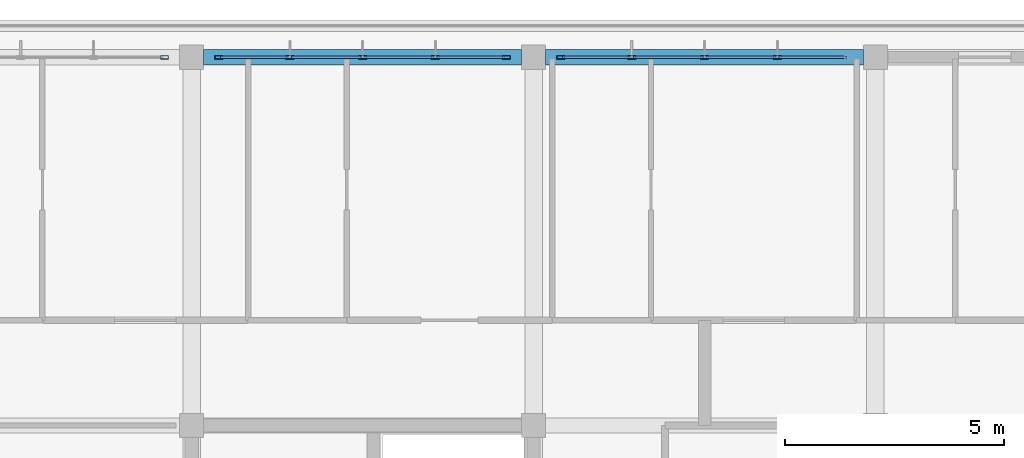
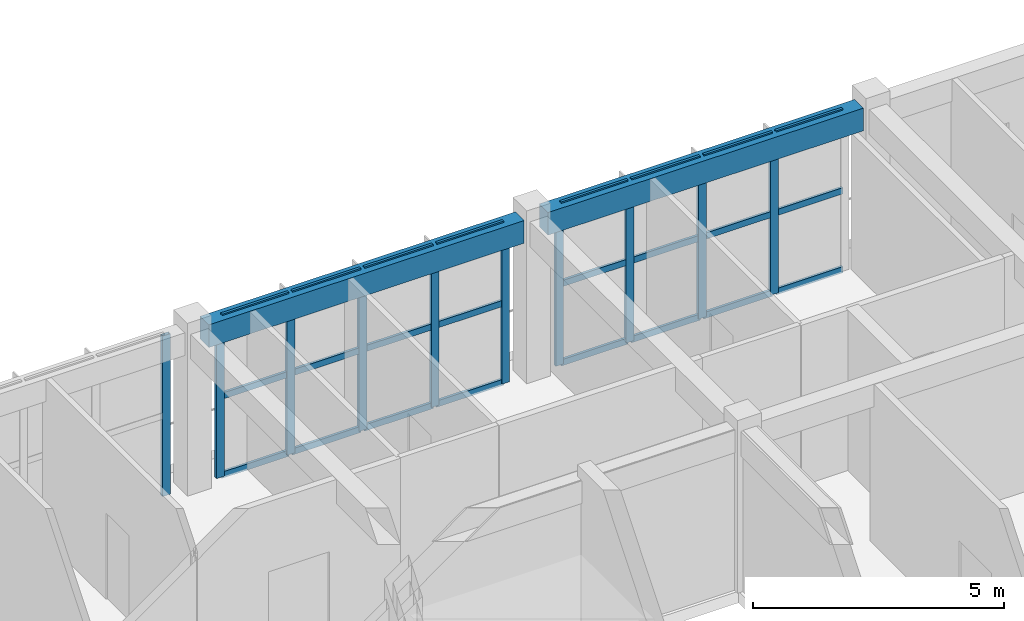
# One storey, part 16 of 44: 34 members, 2 beams, 3 elements without a shape of their own.
"""IFC4 building model written with IfcOpenShell, lengths in metres."""

import ifcopenshell
import ifcopenshell.guid

model = None  # the IFC model being written
_history = None  # IfcOwnerHistory: only IFC2X3 demands one
_inside = {}  # id of a spatial element -> (the spatial element, [elements in it])
_under = {}  # id of a project, library or spatial element -> (it, [spatial elements below it])
_declared = {}  # id of a project -> (the project, [libraries it declares])
_typed = {}  # id of a type object -> (the type object, [elements of that type])
_made_of = {}  # id of a material, layer set ... -> (it, [elements and type objects made of it])


def new_model(schema):
    """Start an empty IFC model of exactly this schema.

    Asked for "IFC4X3", IfcOpenShell would pick the latest addendum, in which some entities
    have other attributes; the version numbers below select the first issue.
    IFC2X3 requires an IfcOwnerHistory on every rooted entity: one is made here for all.
    """
    global model, _history
    if schema == "IFC4X3":
        model = ifcopenshell.file(schema_version=(4, 3, 0, 0))
    else:
        model = ifcopenshell.file(schema=schema)
    _inside.clear()
    _under.clear()
    _declared.clear()
    _typed.clear()
    _made_of.clear()
    _history = None
    if model.schema == "IFC2X3":
        org = make("IfcOrganization", Name="unknown")
        user = make(
            "IfcPersonAndOrganization",
            ThePerson=make("IfcPerson", FamilyName="unknown"),
            TheOrganization=org,
        )
        app = make(
            "IfcApplication",
            ApplicationDeveloper=org,
            Version="unknown",
            ApplicationFullName="unknown",
            ApplicationIdentifier="unknown",
        )
        _history = make(
            "IfcOwnerHistory",
            OwningUser=user,
            OwningApplication=app,
            ChangeAction="ADDED",
            CreationDate=0,
        )
    return model


def make(cls, **values):
    """One entity of the class cls with the attributes given. An attribute that is None is left unset."""
    return model.create_entity(
        cls, **{name: value for name, value in values.items() if value is not None}
    )


def rooted(cls, **values):
    """An entity with a GlobalId (a new one), such as an element, a storey or a relation."""
    return make(cls, GlobalId=ifcopenshell.guid.new(), OwnerHistory=_history, **values)


def si_unit(unit_type, name, prefix=None):
    """IfcSIUnit, for example si_unit("LENGTHUNIT", "METRE", prefix="MILLI")."""
    return make("IfcSIUnit", UnitType=unit_type, Prefix=prefix, Name=name)


def assignment(units):
    """IfcUnitAssignment: the units of a project."""
    return None if units is None else make("IfcUnitAssignment", Units=units)


def point(xyz):
    """IfcCartesianPoint."""
    return None if xyz is None else make("IfcCartesianPoint", Coordinates=xyz)


def direction(xyz):
    """IfcDirection."""
    return None if xyz is None else make("IfcDirection", DirectionRatios=xyz)


def frame(location, z_axis=None, x_axis=None):
    """IfcAxis2Placement3D, a coordinate frame: its origin and axes. An axis left out is left unset."""
    return make(
        "IfcAxis2Placement3D",
        Location=point(location),
        Axis=direction(z_axis),
        RefDirection=direction(x_axis),
    )


def frame_2d(location, x_axis=None):
    """IfcAxis2Placement2D, a coordinate frame in the plane: its origin and x axis."""
    return make(
        "IfcAxis2Placement2D", Location=point(location), RefDirection=direction(x_axis)
    )


def origin():
    """The frame at (0, 0, 0) with its axes left unset."""
    return frame((0.0, 0.0, 0.0))


def origin_2d():
    """The frame at (0, 0) in the plane with its x axis left unset."""
    return frame_2d((0.0, 0.0))


def place(relative_to, where):
    """IfcLocalPlacement: puts the frame where relative to a parent placement (None: the world)."""
    return make(
        "IfcLocalPlacement", PlacementRelTo=relative_to, RelativePlacement=where
    )


def context(
    kind, dimensions, precision=None, world=None, true_north=None, identifier=None
):
    """IfcGeometricRepresentationContext, for example the 3D "Model" context."""
    return make(
        "IfcGeometricRepresentationContext",
        ContextIdentifier=identifier,
        ContextType=kind,
        CoordinateSpaceDimension=dimensions,
        Precision=precision,
        WorldCoordinateSystem=world,
        TrueNorth=true_north,
    )


def subcontext(parent, identifier, kind, view, scale=None):
    """IfcGeometricRepresentationSubContext, for example "Body" below "Model"."""
    return make(
        "IfcGeometricRepresentationSubContext",
        ContextIdentifier=identifier,
        ContextType=kind,
        ParentContext=parent,
        TargetScale=scale,
        TargetView=view,
    )


def project(units=None, contexts=None):
    """IfcProject with its units and contexts."""
    return rooted(
        "IfcProject",
        Name="project",
        RepresentationContexts=contexts,
        UnitsInContext=assignment(units),
    )


def spatial(cls, under=None, at=None, **own):
    """A site, building, storey or space (cls), placed at a placement, below another one or the project."""
    s = rooted(cls, ObjectPlacement=at, **own)
    if under is not None:
        _under.setdefault(under.id(), (under, []))[1].append(s)
    return s


def profile(cls, at=None, kind="AREA", **sizes):
    """A parametric profile (cls). Its sizes go by their IFC names, for example OverallWidth=200.0."""
    return make(cls, ProfileType=kind, Position=at, **sizes)


def rectangle(**sizes):
    """IfcRectangleProfileDef."""
    return profile("IfcRectangleProfileDef", **sizes)


def hollow_rectangle(**sizes):
    """IfcRectangleHollowProfileDef."""
    return profile("IfcRectangleHollowProfileDef", **sizes)


def extrude(swept, where, along, depth):
    """IfcExtrudedAreaSolid: the profile swept, set in the frame where, extruded along a direction by depth."""
    return make(
        "IfcExtrudedAreaSolid",
        SweptArea=swept,
        Position=where,
        ExtrudedDirection=direction(along),
        Depth=depth,
    )


def shape(context_of_items, identifier, shape_type, items):
    """IfcShapeRepresentation: the items that make up one representation, for example the "Body"."""
    return make(
        "IfcShapeRepresentation",
        ContextOfItems=context_of_items,
        RepresentationIdentifier=identifier,
        RepresentationType=shape_type,
        Items=items,
    )


def material(Name=None, Category=None):
    """IfcMaterial."""
    return make("IfcMaterial", Name=Name, Category=Category)


def layer(
    of_material, thickness, ventilated=None, Name=None, Category=None, Priority=None
):
    """IfcMaterialLayer: one layer of a wall or slab, of a material (None: an air gap)."""
    return make(
        "IfcMaterialLayer",
        Material=of_material,
        LayerThickness=thickness,
        IsVentilated=ventilated,
        Name=Name,
        Category=Category,
        Priority=Priority,
    )


def layer_set(layers, Name=None):
    """IfcMaterialLayerSet."""
    return make("IfcMaterialLayerSet", MaterialLayers=layers, LayerSetName=Name)


def material_profile(
    of_material, cross_section, Name=None, Category=None, Priority=None
):
    """IfcMaterialProfile: a cross section and its material."""
    return make(
        "IfcMaterialProfile",
        Name=Name,
        Material=of_material,
        Profile=cross_section,
        Priority=Priority,
        Category=Category,
    )


def profile_set(profiles, Name=None, composite=None):
    """IfcMaterialProfileSet."""
    return make(
        "IfcMaterialProfileSet",
        Name=Name,
        MaterialProfiles=profiles,
        CompositeProfile=composite,
    )


def made_of(thing, what):
    """Note that an element or type object is made of a material, layer set ...; save() writes the relation."""
    if what is not None:
        _made_of.setdefault(what.id(), (what, []))[1].append(thing)
    return thing


def type_object(cls, material=None, **own):
    """A type object (cls), such as IfcWallType, which elements share."""
    return made_of(rooted(cls, **own), material)


def element(
    cls,
    number,
    at=None,
    inside=None,
    cuts=None,
    type_object=None,
    material=None,
    context=None,
    identifier="Body",
    shape_type=None,
    held_by="IfcProductDefinitionShape",
    body=None,
    shapes=None,
    **own,
):
    """One element of the class cls, such as IfcWall. Its Tag is "e" and its number.

    at: its placement. inside: the storey or other place that contains it. cuts: it is an
    opening in that element (IfcRelVoidsElement). A single representation is given by context,
    identifier, shape_type and body (its items); several are given by shapes. held_by: the class
    of the entity that holds the representations. save() writes the other relations.
    """
    e = rooted(cls, Tag="e%d" % number, ObjectPlacement=at, **own)
    if body is not None:
        shapes = [shape(context, identifier, shape_type, body)]
    if shapes is not None:
        e.Representation = make(held_by, Representations=shapes)
    if inside is not None:
        _inside.setdefault(inside.id(), (inside, []))[1].append(e)
    if cuts is not None:
        rooted(
            "IfcRelVoidsElement", RelatingBuildingElement=cuts, RelatedOpeningElement=e
        )
    if type_object is not None:
        _typed.setdefault(type_object.id(), (type_object, []))[1].append(e)
    return made_of(e, material)


def aggregate(whole, parts):
    """IfcRelAggregates: a whole, such as a stair, and the parts it consists of."""
    return rooted("IfcRelAggregates", RelatingObject=whole, RelatedObjects=parts)


def save(model, path):
    """Write the relations noted so far, then the file.

    IfcRelAggregates (storeys below a building ...), IfcRelContainedInSpatialStructure (elements
    in a storey), IfcRelDefinesByType, IfcRelAssociatesMaterial and IfcRelDeclares: one each for
    every whole, place, type object, material and project.
    """
    for whole, parts in _under.values():
        aggregate(whole, parts)
    for where, things in _inside.values():
        rooted(
            "IfcRelContainedInSpatialStructure",
            RelatedElements=things,
            RelatingStructure=where,
        )
    for kind, things in _typed.values():
        rooted("IfcRelDefinesByType", RelatedObjects=things, RelatingType=kind)
    for what, things in _made_of.values():
        rooted("IfcRelAssociatesMaterial", RelatedObjects=things, RelatingMaterial=what)
    for by, libraries in _declared.values():
        rooted("IfcRelDeclares", RelatingContext=by, RelatedDefinitions=libraries)
    model.write(path)


model = new_model("IFC4")

# Units and contexts
model_context = context("Model", 3, precision=1e-05, world=origin(), true_north=direction((0.0, 1.0)))
body_context = subcontext(model_context, "Body", "Model", "MODEL_VIEW")
ifc_project = project(units=[si_unit("LENGTHUNIT", "METRE"), si_unit("AREAUNIT", "SQUARE_METRE"), si_unit("VOLUMEUNIT", "CUBIC_METRE"), si_unit("PLANEANGLEUNIT", "RADIAN"), si_unit("MASSUNIT", "GRAM", prefix="KILO")], contexts=[model_context])

# Site, building, storey
site_placement = place(None, origin())
site = spatial("IfcSite", under=ifc_project, at=site_placement, CompositionType="ELEMENT")
building_placement = place(site_placement, origin())
building = spatial("IfcBuilding", under=site, at=building_placement, Name="Zizhar Promenade General Hospital", CompositionType="ELEMENT")
storey_placement = place(building_placement, frame((0.0, 0.0, 34.800048828125)))
storey = spatial("IfcBuildingStorey", under=building, at=storey_placement, Name="L08", CompositionType="ELEMENT", Elevation=34.800048828125)

# Beams
ifc_material_1 = material(Name="Concrete C35/45", Category="concrete")
ifc_material_profile_1 = material_profile(ifc_material_1, rectangle(XDim=0.35009765625, YDim=0.550048828125, at=origin_2d()))
ifc_profile_set_1 = profile_set([ifc_material_profile_1], Name="Concrete C35/45")
beam_type = type_object("IfcBeamType", Name="BM-RC-350x550", PredefinedType="LINTEL", material=ifc_profile_set_1)
for number, where, z_axis, x_axis, name in (
    (1, (62.675048828125, 25.199951171875, 3.635009765625), (1.0, 0.0, 0.0), (0.0, 1.0, 0.0), "Grid Beam X L08 (8-3)"),
    (2, (70.47509765625, 25.199951171875, 3.635009765625), (1.0, 0.0, 0.0), (0.0, 1.0, 0.0), "Grid Beam X L08 (9-3)"),
):
    element("IfcBeam", number, at=place(storey_placement, frame(where, z_axis=z_axis, x_axis=x_axis)), inside=storey, type_object=beam_type, Name=name, PredefinedType="LINTEL", context=body_context, shape_type="SweptSolid", body=[
        extrude(rectangle(XDim=0.35009765625, YDim=0.550048828125, at=origin_2d()), origin(), (0.0, 0.0, 1.0), 7.25),
    ])

# Curtain wall, member
ifc_material_2 = material(Name="Anodised aluminium 6063-T6 and low-E glass", Category="aluminium")
ifc_layer = layer(ifc_material_2, 0.159912109375)
ifc_layer_set = layer_set([ifc_layer], Name="Anodised aluminium 6063-T6 and low-E glass")
curtain_wall_type = type_object("IfcCurtainWallType", Name="CW-WARD-RIB", PredefinedType="NOTDEFINED", material=ifc_layer_set)
curtain_wall_1_placement = place(storey_placement, origin())
curtain_wall_1 = element("IfcCurtainWall", 3, at=curtain_wall_1_placement, inside=storey, type_object=curtain_wall_type, Name="Ward Ribbon Curtain Wall L08-8-1", PredefinedType="NOTDEFINED")
ifc_material_3 = material(Name="Anodised aluminium 6063-T6", Category="aluminium")
ifc_material_profile_2 = material_profile(ifc_material_3, hollow_rectangle(XDim=0.080078125, YDim=0.179931640625, WallThickness=0.0048828125, at=origin_2d()))
ifc_profile_set_2 = profile_set([ifc_material_profile_2], Name="Anodised aluminium 6063-T6")
member_type_1 = type_object("IfcMemberType", Name="CWM-ALU-180x80", PredefinedType="MULLION", material=ifc_profile_set_2)
member_1_placement = place(storey_placement, frame((61.780029296875, 25.199951171875, 0.0), z_axis=(0.0, 0.0, 1.0), x_axis=(0.0, 1.0, 0.0)))
member_1 = element("IfcMember", 4, at=member_1_placement, type_object=member_type_1, Name="CW-13 mullion 5", PredefinedType="MULLION", context=body_context, shape_type="SweptSolid", body=[
    extrude(hollow_rectangle(XDim=0.080078125, YDim=0.179931640625, WallThickness=0.0048828125, at=origin_2d()), origin(), (0.0, 0.0, 1.0), 3.89990234375),
])
aggregate(curtain_wall_1, [member_1])

# Curtain wall, members
curtain_wall_2_placement = place(storey_placement, origin())
curtain_wall_2 = element("IfcCurtainWall", 5, at=curtain_wall_2_placement, inside=storey, type_object=curtain_wall_type, Name="Ward Ribbon Curtain Wall L08-8-2", PredefinedType="NOTDEFINED")
member_2_placement = place(storey_placement, frame((63.02001953125, 25.199951171875, 0.0), z_axis=(0.0, 0.0, 1.0), x_axis=(0.0, 1.0, 0.0)))
member_2 = element("IfcMember", 6, at=member_2_placement, type_object=member_type_1, Name="CW-13 mullion 1", PredefinedType="MULLION", context=body_context, shape_type="SweptSolid", body=[
    extrude(hollow_rectangle(XDim=0.080078125, YDim=0.179931640625, WallThickness=0.0048828125, at=origin_2d()), origin(), (0.0, 0.0, 1.0), 3.89990234375),
])
member_3_placement = place(storey_placement, frame((64.639892578125, 25.199951171875, 0.0), z_axis=(0.0, 0.0, 1.0), x_axis=(0.0, 1.0, 0.0)))
member_3 = element("IfcMember", 7, at=member_3_placement, type_object=member_type_1, Name="CW-13 mullion 2", PredefinedType="MULLION", context=body_context, shape_type="SweptSolid", body=[
    extrude(hollow_rectangle(XDim=0.080078125, YDim=0.179931640625, WallThickness=0.0048828125, at=origin_2d()), origin(), (0.0, 0.0, 1.0), 3.89990234375),
])
member_4_placement = place(storey_placement, frame((66.300048828125, 25.199951171875, 0.0), z_axis=(0.0, 0.0, 1.0), x_axis=(0.0, 1.0, 0.0)))
member_4 = element("IfcMember", 8, at=member_4_placement, type_object=member_type_1, Name="CW-13 mullion 3", PredefinedType="MULLION", context=body_context, shape_type="SweptSolid", body=[
    extrude(hollow_rectangle(XDim=0.080078125, YDim=0.179931640625, WallThickness=0.0048828125, at=origin_2d()), origin(), (0.0, 0.0, 1.0), 3.89990234375),
])
member_5_placement = place(storey_placement, frame((67.9599609375, 25.199951171875, 0.0), z_axis=(0.0, 0.0, 1.0), x_axis=(0.0, 1.0, 0.0)))
member_5 = element("IfcMember", 9, at=member_5_placement, type_object=member_type_1, Name="CW-13 mullion 4", PredefinedType="MULLION", context=body_context, shape_type="SweptSolid", body=[
    extrude(hollow_rectangle(XDim=0.080078125, YDim=0.179931640625, WallThickness=0.0048828125, at=origin_2d()), origin(), (0.0, 0.0, 1.0), 3.89990234375),
])
member_6_placement = place(storey_placement, frame((69.580078125, 25.199951171875, 0.0), z_axis=(0.0, 0.0, 1.0), x_axis=(0.0, 1.0, 0.0)))
member_6 = element("IfcMember", 10, at=member_6_placement, type_object=member_type_1, Name="CW-13 mullion 5", PredefinedType="MULLION", context=body_context, shape_type="SweptSolid", body=[
    extrude(hollow_rectangle(XDim=0.080078125, YDim=0.179931640625, WallThickness=0.0048828125, at=origin_2d()), origin(), (0.0, 0.0, 1.0), 3.89990234375),
])

curtain_wall_3_placement = place(storey_placement, origin())
curtain_wall_3 = element("IfcCurtainWall", 11, at=curtain_wall_3_placement, inside=storey, type_object=curtain_wall_type, Name="Ward Ribbon Curtain Wall L08-8-3", PredefinedType="NOTDEFINED")
member_7_placement = place(storey_placement, frame((70.820068359375, 25.199951171875, 0.0), z_axis=(0.0, 0.0, 1.0), x_axis=(0.0, 1.0, 0.0)))
member_7 = element("IfcMember", 12, at=member_7_placement, type_object=member_type_1, Name="CW-13 mullion 1", PredefinedType="MULLION", context=body_context, shape_type="SweptSolid", body=[
    extrude(hollow_rectangle(XDim=0.080078125, YDim=0.179931640625, WallThickness=0.0048828125, at=origin_2d()), origin(), (0.0, 0.0, 1.0), 3.89990234375),
])
member_8_placement = place(storey_placement, frame((72.43994140625, 25.199951171875, 0.0), z_axis=(0.0, 0.0, 1.0), x_axis=(0.0, 1.0, 0.0)))
member_8 = element("IfcMember", 13, at=member_8_placement, type_object=member_type_1, Name="CW-13 mullion 2", PredefinedType="MULLION", context=body_context, shape_type="SweptSolid", body=[
    extrude(hollow_rectangle(XDim=0.080078125, YDim=0.179931640625, WallThickness=0.0048828125, at=origin_2d()), origin(), (0.0, 0.0, 1.0), 3.89990234375),
])
member_9_placement = place(storey_placement, frame((74.10009765625, 25.199951171875, 0.0), z_axis=(0.0, 0.0, 1.0), x_axis=(0.0, 1.0, 0.0)))
member_9 = element("IfcMember", 14, at=member_9_placement, type_object=member_type_1, Name="CW-13 mullion 3", PredefinedType="MULLION", context=body_context, shape_type="SweptSolid", body=[
    extrude(hollow_rectangle(XDim=0.080078125, YDim=0.179931640625, WallThickness=0.0048828125, at=origin_2d()), origin(), (0.0, 0.0, 1.0), 3.89990234375),
])
member_10_placement = place(storey_placement, frame((75.760009765625, 25.199951171875, 0.0), z_axis=(0.0, 0.0, 1.0), x_axis=(0.0, 1.0, 0.0)))
member_10 = element("IfcMember", 15, at=member_10_placement, type_object=member_type_1, Name="CW-13 mullion 4", PredefinedType="MULLION", context=body_context, shape_type="SweptSolid", body=[
    extrude(hollow_rectangle(XDim=0.080078125, YDim=0.179931640625, WallThickness=0.0048828125, at=origin_2d()), origin(), (0.0, 0.0, 1.0), 3.89990234375),
])

# Member
ifc_material_4 = material(Name="Anodised aluminium 6063-T6", Category="aluminium")
ifc_material_profile_3 = material_profile(ifc_material_4, hollow_rectangle(XDim=0.06005859375, YDim=0.14990234375, WallThickness=0.00390625, at=origin_2d()))
ifc_profile_set_3 = profile_set([ifc_material_profile_3], Name="Anodised aluminium 6063-T6")
member_type_2 = type_object("IfcMemberType", Name="CWT-ALU-150x60", PredefinedType="USERDEFINED", material=ifc_profile_set_3)
member_11_placement = place(storey_placement, frame((63.06005859375, 25.199951171875, 0.030029296875), z_axis=(1.0, 0.0, 0.0), x_axis=(0.0, 1.0, 0.0)))
member_11 = element("IfcMember", 16, at=member_11_placement, type_object=member_type_2, Name="CW-13 transom 1.1", ObjectType="TRANSOM", PredefinedType="USERDEFINED", context=body_context, shape_type="SweptSolid", body=[
    extrude(hollow_rectangle(XDim=0.06005859375, YDim=0.14990234375, WallThickness=0.00390625, at=origin_2d()), origin(), (0.0, 0.0, 1.0), 1.5400390625),
])

member_12_placement = place(storey_placement, frame((63.06005859375, 25.199951171875, 1.949951171875), z_axis=(1.0, 0.0, 0.0), x_axis=(0.0, 1.0, 0.0)))
member_12 = element("IfcMember", 17, at=member_12_placement, type_object=member_type_2, Name="CW-13 transom 1.2", ObjectType="TRANSOM", PredefinedType="USERDEFINED", context=body_context, shape_type="SweptSolid", body=[
    extrude(hollow_rectangle(XDim=0.06005859375, YDim=0.14990234375, WallThickness=0.00390625, at=origin_2d()), origin(), (0.0, 0.0, 1.0), 1.5400390625),
])

member_13_placement = place(storey_placement, frame((63.06005859375, 25.199951171875, 3.869873046875), z_axis=(1.0, 0.0, 0.0), x_axis=(0.0, 1.0, 0.0)))
member_13 = element("IfcMember", 18, at=member_13_placement, type_object=member_type_2, Name="CW-13 transom 1.3", ObjectType="TRANSOM", PredefinedType="USERDEFINED", context=body_context, shape_type="SweptSolid", body=[
    extrude(hollow_rectangle(XDim=0.06005859375, YDim=0.14990234375, WallThickness=0.00390625, at=origin_2d()), origin(), (0.0, 0.0, 1.0), 1.5400390625),
])

member_14_placement = place(storey_placement, frame((64.679931640625, 25.199951171875, 0.030029296875), z_axis=(1.0, 0.0, 0.0), x_axis=(0.0, 1.0, 0.0)))
member_14 = element("IfcMember", 19, at=member_14_placement, type_object=member_type_2, Name="CW-13 transom 2.1", ObjectType="TRANSOM", PredefinedType="USERDEFINED", context=body_context, shape_type="SweptSolid", body=[
    extrude(hollow_rectangle(XDim=0.06005859375, YDim=0.14990234375, WallThickness=0.00390625, at=origin_2d()), origin(), (0.0, 0.0, 1.0), 1.580078125),
])

member_15_placement = place(storey_placement, frame((64.679931640625, 25.199951171875, 1.949951171875), z_axis=(1.0, 0.0, 0.0), x_axis=(0.0, 1.0, 0.0)))
member_15 = element("IfcMember", 20, at=member_15_placement, type_object=member_type_2, Name="CW-13 transom 2.2", ObjectType="TRANSOM", PredefinedType="USERDEFINED", context=body_context, shape_type="SweptSolid", body=[
    extrude(hollow_rectangle(XDim=0.06005859375, YDim=0.14990234375, WallThickness=0.00390625, at=origin_2d()), origin(), (0.0, 0.0, 1.0), 1.580078125),
])

member_16_placement = place(storey_placement, frame((64.679931640625, 25.199951171875, 3.869873046875), z_axis=(1.0, 0.0, 0.0), x_axis=(0.0, 1.0, 0.0)))
member_16 = element("IfcMember", 21, at=member_16_placement, type_object=member_type_2, Name="CW-13 transom 2.3", ObjectType="TRANSOM", PredefinedType="USERDEFINED", context=body_context, shape_type="SweptSolid", body=[
    extrude(hollow_rectangle(XDim=0.06005859375, YDim=0.14990234375, WallThickness=0.00390625, at=origin_2d()), origin(), (0.0, 0.0, 1.0), 1.580078125),
])

member_17_placement = place(storey_placement, frame((66.340087890625, 25.199951171875, 0.030029296875), z_axis=(1.0, 0.0, 0.0), x_axis=(0.0, 1.0, 0.0)))
member_17 = element("IfcMember", 22, at=member_17_placement, type_object=member_type_2, Name="CW-13 transom 3.1", ObjectType="TRANSOM", PredefinedType="USERDEFINED", context=body_context, shape_type="SweptSolid", body=[
    extrude(hollow_rectangle(XDim=0.06005859375, YDim=0.14990234375, WallThickness=0.00390625, at=origin_2d()), origin(), (0.0, 0.0, 1.0), 1.579833984375),
])

member_18_placement = place(storey_placement, frame((66.340087890625, 25.199951171875, 1.949951171875), z_axis=(1.0, 0.0, 0.0), x_axis=(0.0, 1.0, 0.0)))
member_18 = element("IfcMember", 23, at=member_18_placement, type_object=member_type_2, Name="CW-13 transom 3.2", ObjectType="TRANSOM", PredefinedType="USERDEFINED", context=body_context, shape_type="SweptSolid", body=[
    extrude(hollow_rectangle(XDim=0.06005859375, YDim=0.14990234375, WallThickness=0.00390625, at=origin_2d()), origin(), (0.0, 0.0, 1.0), 1.579833984375),
])

member_19_placement = place(storey_placement, frame((66.340087890625, 25.199951171875, 3.869873046875), z_axis=(1.0, 0.0, 0.0), x_axis=(0.0, 1.0, 0.0)))
member_19 = element("IfcMember", 24, at=member_19_placement, type_object=member_type_2, Name="CW-13 transom 3.3", ObjectType="TRANSOM", PredefinedType="USERDEFINED", context=body_context, shape_type="SweptSolid", body=[
    extrude(hollow_rectangle(XDim=0.06005859375, YDim=0.14990234375, WallThickness=0.00390625, at=origin_2d()), origin(), (0.0, 0.0, 1.0), 1.579833984375),
])

member_20_placement = place(storey_placement, frame((68.0, 25.199951171875, 0.030029296875), z_axis=(1.0, 0.0, 0.0), x_axis=(0.0, 1.0, 0.0)))
member_20 = element("IfcMember", 25, at=member_20_placement, type_object=member_type_2, Name="CW-13 transom 4.1", ObjectType="TRANSOM", PredefinedType="USERDEFINED", context=body_context, shape_type="SweptSolid", body=[
    extrude(hollow_rectangle(XDim=0.06005859375, YDim=0.14990234375, WallThickness=0.00390625, at=origin_2d()), origin(), (0.0, 0.0, 1.0), 1.5400390625),
])

member_21_placement = place(storey_placement, frame((68.0, 25.199951171875, 1.949951171875), z_axis=(1.0, 0.0, 0.0), x_axis=(0.0, 1.0, 0.0)))
member_21 = element("IfcMember", 26, at=member_21_placement, type_object=member_type_2, Name="CW-13 transom 4.2", ObjectType="TRANSOM", PredefinedType="USERDEFINED", context=body_context, shape_type="SweptSolid", body=[
    extrude(hollow_rectangle(XDim=0.06005859375, YDim=0.14990234375, WallThickness=0.00390625, at=origin_2d()), origin(), (0.0, 0.0, 1.0), 1.5400390625),
])

member_22_placement = place(storey_placement, frame((68.0, 25.199951171875, 3.869873046875), z_axis=(1.0, 0.0, 0.0), x_axis=(0.0, 1.0, 0.0)))
member_22 = element("IfcMember", 27, at=member_22_placement, type_object=member_type_2, Name="CW-13 transom 4.3", ObjectType="TRANSOM", PredefinedType="USERDEFINED", context=body_context, shape_type="SweptSolid", body=[
    extrude(hollow_rectangle(XDim=0.06005859375, YDim=0.14990234375, WallThickness=0.00390625, at=origin_2d()), origin(), (0.0, 0.0, 1.0), 1.5400390625),
])

aggregate(curtain_wall_2, [member_2, member_3, member_4, member_5, member_6, member_11, member_12, member_13, member_14, member_15, member_16, member_17, member_18, member_19, member_20, member_21, member_22])

member_23_placement = place(storey_placement, frame((70.860107421875, 25.199951171875, 0.030029296875), z_axis=(1.0, 0.0, 0.0), x_axis=(0.0, 1.0, 0.0)))
member_23 = element("IfcMember", 28, at=member_23_placement, type_object=member_type_2, Name="CW-13 transom 1.1", ObjectType="TRANSOM", PredefinedType="USERDEFINED", context=body_context, shape_type="SweptSolid", body=[
    extrude(hollow_rectangle(XDim=0.06005859375, YDim=0.14990234375, WallThickness=0.00390625, at=origin_2d()), origin(), (0.0, 0.0, 1.0), 1.539794921875),
])

member_24_placement = place(storey_placement, frame((70.860107421875, 25.199951171875, 1.949951171875), z_axis=(1.0, 0.0, 0.0), x_axis=(0.0, 1.0, 0.0)))
member_24 = element("IfcMember", 29, at=member_24_placement, type_object=member_type_2, Name="CW-13 transom 1.2", ObjectType="TRANSOM", PredefinedType="USERDEFINED", context=body_context, shape_type="SweptSolid", body=[
    extrude(hollow_rectangle(XDim=0.06005859375, YDim=0.14990234375, WallThickness=0.00390625, at=origin_2d()), origin(), (0.0, 0.0, 1.0), 1.539794921875),
])

member_25_placement = place(storey_placement, frame((70.860107421875, 25.199951171875, 3.869873046875), z_axis=(1.0, 0.0, 0.0), x_axis=(0.0, 1.0, 0.0)))
member_25 = element("IfcMember", 30, at=member_25_placement, type_object=member_type_2, Name="CW-13 transom 1.3", ObjectType="TRANSOM", PredefinedType="USERDEFINED", context=body_context, shape_type="SweptSolid", body=[
    extrude(hollow_rectangle(XDim=0.06005859375, YDim=0.14990234375, WallThickness=0.00390625, at=origin_2d()), origin(), (0.0, 0.0, 1.0), 1.539794921875),
])

member_26_placement = place(storey_placement, frame((72.47998046875, 25.199951171875, 0.030029296875), z_axis=(1.0, 0.0, 0.0), x_axis=(0.0, 1.0, 0.0)))
member_26 = element("IfcMember", 31, at=member_26_placement, type_object=member_type_2, Name="CW-13 transom 2.1", ObjectType="TRANSOM", PredefinedType="USERDEFINED", context=body_context, shape_type="SweptSolid", body=[
    extrude(hollow_rectangle(XDim=0.06005859375, YDim=0.14990234375, WallThickness=0.00390625, at=origin_2d()), origin(), (0.0, 0.0, 1.0), 1.580078125),
])

member_27_placement = place(storey_placement, frame((72.47998046875, 25.199951171875, 1.949951171875), z_axis=(1.0, 0.0, 0.0), x_axis=(0.0, 1.0, 0.0)))
member_27 = element("IfcMember", 32, at=member_27_placement, type_object=member_type_2, Name="CW-13 transom 2.2", ObjectType="TRANSOM", PredefinedType="USERDEFINED", context=body_context, shape_type="SweptSolid", body=[
    extrude(hollow_rectangle(XDim=0.06005859375, YDim=0.14990234375, WallThickness=0.00390625, at=origin_2d()), origin(), (0.0, 0.0, 1.0), 1.580078125),
])

member_28_placement = place(storey_placement, frame((72.47998046875, 25.199951171875, 3.869873046875), z_axis=(1.0, 0.0, 0.0), x_axis=(0.0, 1.0, 0.0)))
member_28 = element("IfcMember", 33, at=member_28_placement, type_object=member_type_2, Name="CW-13 transom 2.3", ObjectType="TRANSOM", PredefinedType="USERDEFINED", context=body_context, shape_type="SweptSolid", body=[
    extrude(hollow_rectangle(XDim=0.06005859375, YDim=0.14990234375, WallThickness=0.00390625, at=origin_2d()), origin(), (0.0, 0.0, 1.0), 1.580078125),
])

member_29_placement = place(storey_placement, frame((74.139892578125, 25.199951171875, 0.030029296875), z_axis=(1.0, 0.0, 0.0), x_axis=(0.0, 1.0, 0.0)))
member_29 = element("IfcMember", 34, at=member_29_placement, type_object=member_type_2, Name="CW-13 transom 3.1", ObjectType="TRANSOM", PredefinedType="USERDEFINED", context=body_context, shape_type="SweptSolid", body=[
    extrude(hollow_rectangle(XDim=0.06005859375, YDim=0.14990234375, WallThickness=0.00390625, at=origin_2d()), origin(), (0.0, 0.0, 1.0), 1.580078125),
])

member_30_placement = place(storey_placement, frame((74.139892578125, 25.199951171875, 1.949951171875), z_axis=(1.0, 0.0, 0.0), x_axis=(0.0, 1.0, 0.0)))
member_30 = element("IfcMember", 35, at=member_30_placement, type_object=member_type_2, Name="CW-13 transom 3.2", ObjectType="TRANSOM", PredefinedType="USERDEFINED", context=body_context, shape_type="SweptSolid", body=[
    extrude(hollow_rectangle(XDim=0.06005859375, YDim=0.14990234375, WallThickness=0.00390625, at=origin_2d()), origin(), (0.0, 0.0, 1.0), 1.580078125),
])

member_31_placement = place(storey_placement, frame((74.139892578125, 25.199951171875, 3.869873046875), z_axis=(1.0, 0.0, 0.0), x_axis=(0.0, 1.0, 0.0)))
member_31 = element("IfcMember", 36, at=member_31_placement, type_object=member_type_2, Name="CW-13 transom 3.3", ObjectType="TRANSOM", PredefinedType="USERDEFINED", context=body_context, shape_type="SweptSolid", body=[
    extrude(hollow_rectangle(XDim=0.06005859375, YDim=0.14990234375, WallThickness=0.00390625, at=origin_2d()), origin(), (0.0, 0.0, 1.0), 1.580078125),
])

member_32_placement = place(storey_placement, frame((75.800048828125, 25.199951171875, 0.030029296875), z_axis=(1.0, 0.0, 0.0), x_axis=(0.0, 1.0, 0.0)))
member_32 = element("IfcMember", 37, at=member_32_placement, type_object=member_type_2, Name="CW-13 transom 4.1", ObjectType="TRANSOM", PredefinedType="USERDEFINED", context=body_context, shape_type="SweptSolid", body=[
    extrude(hollow_rectangle(XDim=0.06005859375, YDim=0.14990234375, WallThickness=0.00390625, at=origin_2d()), origin(), (0.0, 0.0, 1.0), 1.5400390625),
])

member_33_placement = place(storey_placement, frame((75.800048828125, 25.199951171875, 1.949951171875), z_axis=(1.0, 0.0, 0.0), x_axis=(0.0, 1.0, 0.0)))
member_33 = element("IfcMember", 38, at=member_33_placement, type_object=member_type_2, Name="CW-13 transom 4.2", ObjectType="TRANSOM", PredefinedType="USERDEFINED", context=body_context, shape_type="SweptSolid", body=[
    extrude(hollow_rectangle(XDim=0.06005859375, YDim=0.14990234375, WallThickness=0.00390625, at=origin_2d()), origin(), (0.0, 0.0, 1.0), 1.5400390625),
])

member_34_placement = place(storey_placement, frame((75.800048828125, 25.199951171875, 3.869873046875), z_axis=(1.0, 0.0, 0.0), x_axis=(0.0, 1.0, 0.0)))
member_34 = element("IfcMember", 39, at=member_34_placement, type_object=member_type_2, Name="CW-13 transom 4.3", ObjectType="TRANSOM", PredefinedType="USERDEFINED", context=body_context, shape_type="SweptSolid", body=[
    extrude(hollow_rectangle(XDim=0.06005859375, YDim=0.14990234375, WallThickness=0.00390625, at=origin_2d()), origin(), (0.0, 0.0, 1.0), 1.5400390625),
])

aggregate(curtain_wall_3, [member_7, member_8, member_9, member_10, member_23, member_24, member_25, member_26, member_27, member_28, member_29, member_30, member_31, member_32, member_33, member_34])

save(model, "model.ifc")
